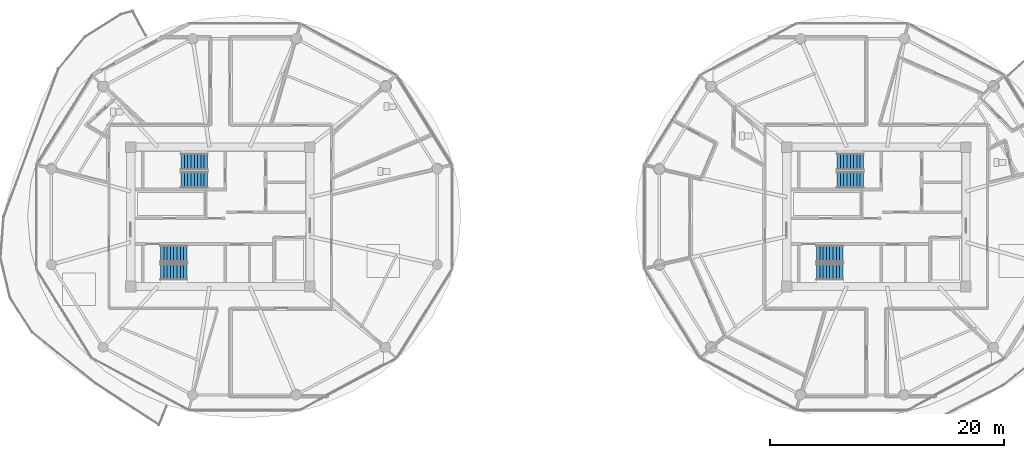
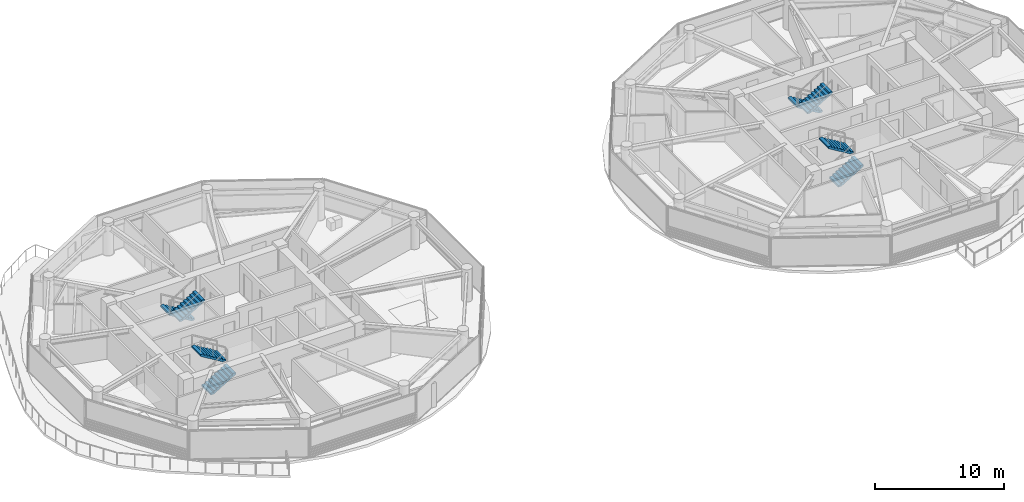
# One storey, part 18 of 25: 8 stair flights, 4 elements without a shape of their own.
"""IFC4 building model written with IfcOpenShell, lengths in metres."""

import ifcopenshell
import ifcopenshell.guid

model = None  # the IFC model being written
_history = None  # IfcOwnerHistory: only IFC2X3 demands one
_inside = {}  # id of a spatial element -> (the spatial element, [elements in it])
_under = {}  # id of a project, library or spatial element -> (it, [spatial elements below it])
_declared = {}  # id of a project -> (the project, [libraries it declares])
_typed = {}  # id of a type object -> (the type object, [elements of that type])
_made_of = {}  # id of a material, layer set ... -> (it, [elements and type objects made of it])


def new_model(schema):
    """Start an empty IFC model of exactly this schema.

    Asked for "IFC4X3", IfcOpenShell would pick the latest addendum, in which some entities
    have other attributes; the version numbers below select the first issue.
    IFC2X3 requires an IfcOwnerHistory on every rooted entity: one is made here for all.
    """
    global model, _history
    if schema == "IFC4X3":
        model = ifcopenshell.file(schema_version=(4, 3, 0, 0))
    else:
        model = ifcopenshell.file(schema=schema)
    _inside.clear()
    _under.clear()
    _declared.clear()
    _typed.clear()
    _made_of.clear()
    _history = None
    if model.schema == "IFC2X3":
        org = make("IfcOrganization", Name="unknown")
        user = make(
            "IfcPersonAndOrganization",
            ThePerson=make("IfcPerson", FamilyName="unknown"),
            TheOrganization=org,
        )
        app = make(
            "IfcApplication",
            ApplicationDeveloper=org,
            Version="unknown",
            ApplicationFullName="unknown",
            ApplicationIdentifier="unknown",
        )
        _history = make(
            "IfcOwnerHistory",
            OwningUser=user,
            OwningApplication=app,
            ChangeAction="ADDED",
            CreationDate=0,
        )
    return model


def make(cls, **values):
    """One entity of the class cls with the attributes given. An attribute that is None is left unset."""
    return model.create_entity(
        cls, **{name: value for name, value in values.items() if value is not None}
    )


def rooted(cls, **values):
    """An entity with a GlobalId (a new one), such as an element, a storey or a relation."""
    return make(cls, GlobalId=ifcopenshell.guid.new(), OwnerHistory=_history, **values)


def si_unit(unit_type, name, prefix=None):
    """IfcSIUnit, for example si_unit("LENGTHUNIT", "METRE", prefix="MILLI")."""
    return make("IfcSIUnit", UnitType=unit_type, Prefix=prefix, Name=name)


def assignment(units):
    """IfcUnitAssignment: the units of a project."""
    return None if units is None else make("IfcUnitAssignment", Units=units)


def point(xyz):
    """IfcCartesianPoint."""
    return None if xyz is None else make("IfcCartesianPoint", Coordinates=xyz)


def direction(xyz):
    """IfcDirection."""
    return None if xyz is None else make("IfcDirection", DirectionRatios=xyz)


def frame(location, z_axis=None, x_axis=None):
    """IfcAxis2Placement3D, a coordinate frame: its origin and axes. An axis left out is left unset."""
    return make(
        "IfcAxis2Placement3D",
        Location=point(location),
        Axis=direction(z_axis),
        RefDirection=direction(x_axis),
    )


def origin():
    """The frame at (0, 0, 0) with its axes left unset."""
    return frame((0.0, 0.0, 0.0))


def place(relative_to, where):
    """IfcLocalPlacement: puts the frame where relative to a parent placement (None: the world)."""
    return make(
        "IfcLocalPlacement", PlacementRelTo=relative_to, RelativePlacement=where
    )


def context(
    kind, dimensions, precision=None, world=None, true_north=None, identifier=None
):
    """IfcGeometricRepresentationContext, for example the 3D "Model" context."""
    return make(
        "IfcGeometricRepresentationContext",
        ContextIdentifier=identifier,
        ContextType=kind,
        CoordinateSpaceDimension=dimensions,
        Precision=precision,
        WorldCoordinateSystem=world,
        TrueNorth=true_north,
    )


def subcontext(parent, identifier, kind, view, scale=None):
    """IfcGeometricRepresentationSubContext, for example "Body" below "Model"."""
    return make(
        "IfcGeometricRepresentationSubContext",
        ContextIdentifier=identifier,
        ContextType=kind,
        ParentContext=parent,
        TargetScale=scale,
        TargetView=view,
    )


def project(units=None, contexts=None):
    """IfcProject with its units and contexts."""
    return rooted(
        "IfcProject",
        Name="project",
        RepresentationContexts=contexts,
        UnitsInContext=assignment(units),
    )


def spatial(cls, under=None, at=None, **own):
    """A site, building, storey or space (cls), placed at a placement, below another one or the project."""
    s = rooted(cls, ObjectPlacement=at, **own)
    if under is not None:
        _under.setdefault(under.id(), (under, []))[1].append(s)
    return s


def polyline(points):
    """IfcPolyline through the points."""
    return make("IfcPolyline", Points=[point(p) for p in points])


def outline(outer, holes=None, kind="AREA"):
    """IfcArbitraryClosedProfileDef: a profile drawn as a closed curve; with holes, ...WithVoids."""
    if holes is None:
        return make("IfcArbitraryClosedProfileDef", ProfileType=kind, OuterCurve=outer)
    return make(
        "IfcArbitraryProfileDefWithVoids",
        ProfileType=kind,
        OuterCurve=outer,
        InnerCurves=holes,
    )


def extrude(swept, where, along, depth):
    """IfcExtrudedAreaSolid: the profile swept, set in the frame where, extruded along a direction by depth."""
    return make(
        "IfcExtrudedAreaSolid",
        SweptArea=swept,
        Position=where,
        ExtrudedDirection=direction(along),
        Depth=depth,
    )


def shape(context_of_items, identifier, shape_type, items):
    """IfcShapeRepresentation: the items that make up one representation, for example the "Body"."""
    return make(
        "IfcShapeRepresentation",
        ContextOfItems=context_of_items,
        RepresentationIdentifier=identifier,
        RepresentationType=shape_type,
        Items=items,
    )


def material(Name=None, Category=None):
    """IfcMaterial."""
    return make("IfcMaterial", Name=Name, Category=Category)


def made_of(thing, what):
    """Note that an element or type object is made of a material, layer set ...; save() writes the relation."""
    if what is not None:
        _made_of.setdefault(what.id(), (what, []))[1].append(thing)
    return thing


def type_object(cls, material=None, **own):
    """A type object (cls), such as IfcWallType, which elements share."""
    return made_of(rooted(cls, **own), material)


def element(
    cls,
    number,
    at=None,
    inside=None,
    cuts=None,
    type_object=None,
    material=None,
    context=None,
    identifier="Body",
    shape_type=None,
    held_by="IfcProductDefinitionShape",
    body=None,
    shapes=None,
    **own,
):
    """One element of the class cls, such as IfcWall. Its Tag is "e" and its number.

    at: its placement. inside: the storey or other place that contains it. cuts: it is an
    opening in that element (IfcRelVoidsElement). A single representation is given by context,
    identifier, shape_type and body (its items); several are given by shapes. held_by: the class
    of the entity that holds the representations. save() writes the other relations.
    """
    e = rooted(cls, Tag="e%d" % number, ObjectPlacement=at, **own)
    if body is not None:
        shapes = [shape(context, identifier, shape_type, body)]
    if shapes is not None:
        e.Representation = make(held_by, Representations=shapes)
    if inside is not None:
        _inside.setdefault(inside.id(), (inside, []))[1].append(e)
    if cuts is not None:
        rooted(
            "IfcRelVoidsElement", RelatingBuildingElement=cuts, RelatedOpeningElement=e
        )
    if type_object is not None:
        _typed.setdefault(type_object.id(), (type_object, []))[1].append(e)
    return made_of(e, material)


def aggregate(whole, parts):
    """IfcRelAggregates: a whole, such as a stair, and the parts it consists of."""
    return rooted("IfcRelAggregates", RelatingObject=whole, RelatedObjects=parts)


def save(model, path):
    """Write the relations noted so far, then the file.

    IfcRelAggregates (storeys below a building ...), IfcRelContainedInSpatialStructure (elements
    in a storey), IfcRelDefinesByType, IfcRelAssociatesMaterial and IfcRelDeclares: one each for
    every whole, place, type object, material and project.
    """
    for whole, parts in _under.values():
        aggregate(whole, parts)
    for where, things in _inside.values():
        rooted(
            "IfcRelContainedInSpatialStructure",
            RelatedElements=things,
            RelatingStructure=where,
        )
    for kind, things in _typed.values():
        rooted("IfcRelDefinesByType", RelatedObjects=things, RelatingType=kind)
    for what, things in _made_of.values():
        rooted("IfcRelAssociatesMaterial", RelatedObjects=things, RelatingMaterial=what)
    for by, libraries in _declared.values():
        rooted("IfcRelDeclares", RelatingContext=by, RelatedDefinitions=libraries)
    model.write(path)


model = new_model("IFC4")

# Units and contexts
model_context = context("Model", 3, precision=1e-05, world=origin(), true_north=direction((0.0, 1.0)))
body_context = subcontext(model_context, "Body", "Model", "MODEL_VIEW")
ifc_project = project(units=[si_unit("LENGTHUNIT", "METRE"), si_unit("AREAUNIT", "SQUARE_METRE"), si_unit("VOLUMEUNIT", "CUBIC_METRE"), si_unit("PLANEANGLEUNIT", "RADIAN"), si_unit("MASSUNIT", "GRAM", prefix="KILO")], contexts=[model_context])

# Site, building, storey
site_placement = place(None, origin())
site = spatial("IfcSite", under=ifc_project, at=site_placement, CompositionType="ELEMENT")
building_placement = place(site_placement, origin())
building = spatial("IfcBuilding", under=site, at=building_placement, Name="Norrkilde Senior Care Towers", CompositionType="ELEMENT")
storey_placement = place(building_placement, frame((0.0, 0.0, 99.300048828125)))
storey = spatial("IfcBuildingStorey", under=building, at=storey_placement, Name="L30", CompositionType="ELEMENT", Elevation=99.300048828125)

# Stair, stair flights
ifc_material = material(Name="Concrete C45/55", Category="concrete")
stair_type = type_object("IfcStairType", Name="Core Protected Dogleg Stair Typical 3050", PredefinedType="HALF_TURN_STAIR", material=ifc_material)
stair_1_placement = place(storey_placement, origin())
stair_1 = element("IfcStair", 1, at=stair_1_placement, inside=storey, type_object=stair_type, Name="L30 Protected Core Stair W1", PredefinedType="HALF_TURN_STAIR")
stair_flight_type = type_object("IfcStairFlightType", Name="Core Protected Dogleg Stair Typical 3050 Flight", PredefinedType="STRAIGHT", material=ifc_material)
stair_flight_1_placement = place(storey_placement, frame((-29.10009765625, 4.699951171875, 0.0), z_axis=(0.0, 0.0, 1.0), x_axis=(-1.0, 0.0, 0.0)))
stair_flight_1 = element("IfcStairFlight", 2, at=stair_flight_1_placement, type_object=stair_flight_type, Name="ST-W1 flight 1", NumberOfRisers=9, NumberOfTreads=8, PredefinedType="STRAIGHT", RiserHeight=0.169444444, TreadLength=0.28, context=body_context, shape_type="SweptSolid", body=[
    extrude(outline(polyline([(0.0, 0.0), (0.0, 0.16943359375), (0.280029296875, 0.16943359375), (0.280029296875, 0.3388671875), (0.56005859375, 0.3388671875), (0.56005859375, 0.50830078125), (0.840087890625, 0.50830078125), (0.840087890625, 0.677734375), (1.1201171875, 0.677734375), (1.1201171875, 0.84716796875), (1.39990234375, 0.84716796875), (1.39990234375, 1.0166015625), (1.679931640625, 1.0166015625), (1.679931640625, 1.18603515625), (1.9599609375, 1.18603515625), (1.9599609375, 1.35546875), (2.239990234375, 1.35546875), (2.239990234375, 1.52490234375), (2.239990234375, 1.180419921875), (0.28955078125, 0.0), (0.0, 0.0)])), frame((0.0, 0.699951171875, 0.0), z_axis=(0.0, -1.0, 0.0), x_axis=(1.0, 0.0, 0.0)), (0.0, 0.0, 1.0), 1.39990234375),
])
stair_flight_2_placement = place(storey_placement, frame((-31.340087890625, 3.14990234375, 1.52490234375), z_axis=(0.0, 0.0, 1.0), x_axis=(1.0, 0.0, 0.0)))
stair_flight_2 = element("IfcStairFlight", 3, at=stair_flight_2_placement, type_object=stair_flight_type, Name="ST-W1 flight 2", NumberOfRisers=9, NumberOfTreads=8, PredefinedType="STRAIGHT", RiserHeight=0.169444444, TreadLength=0.28, context=body_context, shape_type="SweptSolid", body=[
    extrude(outline(polyline([(0.0, 0.0), (0.0, 0.16943359375), (0.280029296875, 0.16943359375), (0.280029296875, 0.3388671875), (0.56005859375, 0.3388671875), (0.56005859375, 0.50830078125), (0.840087890625, 0.50830078125), (0.840087890625, 0.677734375), (1.1201171875, 0.677734375), (1.1201171875, 0.84716796875), (1.39990234375, 0.84716796875), (1.39990234375, 1.0166015625), (1.679931640625, 1.0166015625), (1.679931640625, 1.18603515625), (1.9599609375, 1.18603515625), (1.9599609375, 1.35546875), (2.239990234375, 1.35546875), (2.239990234375, 1.52490234375), (2.239990234375, 1.180419921875), (0.28955078125, 0.0), (0.0, 0.0)])), frame((0.0, 0.699951171875, 0.0), z_axis=(0.0, -1.0, 0.0), x_axis=(1.0, 0.0, 0.0)), (0.0, 0.0, 1.0), 1.39990234375),
])
aggregate(stair_1, [stair_flight_1, stair_flight_2])

stair_2_placement = place(storey_placement, origin())
stair_2 = element("IfcStair", 4, at=stair_2_placement, inside=storey, type_object=stair_type, Name="L30 Protected Core Stair W2", PredefinedType="HALF_TURN_STAIR")
stair_flight_3_placement = place(storey_placement, frame((-33.10009765625, -4.699951171875, 0.0), z_axis=(0.0, 0.0, 1.0), x_axis=(1.0, 0.0, 0.0)))
stair_flight_3 = element("IfcStairFlight", 5, at=stair_flight_3_placement, type_object=stair_flight_type, Name="ST-W2 flight 1", NumberOfRisers=9, NumberOfTreads=8, PredefinedType="STRAIGHT", RiserHeight=0.169444444, TreadLength=0.28, context=body_context, shape_type="SweptSolid", body=[
    extrude(outline(polyline([(0.0, 0.0), (0.0, 0.16943359375), (0.280029296875, 0.16943359375), (0.280029296875, 0.3388671875), (0.56005859375, 0.3388671875), (0.56005859375, 0.50830078125), (0.840087890625, 0.50830078125), (0.840087890625, 0.677734375), (1.1201171875, 0.677734375), (1.1201171875, 0.84716796875), (1.39990234375, 0.84716796875), (1.39990234375, 1.0166015625), (1.679931640625, 1.0166015625), (1.679931640625, 1.18603515625), (1.9599609375, 1.18603515625), (1.9599609375, 1.35546875), (2.239990234375, 1.35546875), (2.239990234375, 1.52490234375), (2.239990234375, 1.180419921875), (0.28955078125, 0.0), (0.0, 0.0)])), frame((0.0, 0.699951171875, 0.0), z_axis=(0.0, -1.0, 0.0), x_axis=(1.0, 0.0, 0.0)), (0.0, 0.0, 1.0), 1.39990234375),
])
stair_flight_4_placement = place(storey_placement, frame((-30.860107421875, -3.14990234375, 1.52490234375), z_axis=(0.0, 0.0, 1.0), x_axis=(-1.0, 0.0, 0.0)))
stair_flight_4 = element("IfcStairFlight", 6, at=stair_flight_4_placement, type_object=stair_flight_type, Name="ST-W2 flight 2", NumberOfRisers=9, NumberOfTreads=8, PredefinedType="STRAIGHT", RiserHeight=0.169444444, TreadLength=0.28, context=body_context, shape_type="SweptSolid", body=[
    extrude(outline(polyline([(0.0, 0.0), (0.0, 0.16943359375), (0.280029296875, 0.16943359375), (0.280029296875, 0.3388671875), (0.56005859375, 0.3388671875), (0.56005859375, 0.50830078125), (0.840087890625, 0.50830078125), (0.840087890625, 0.677734375), (1.1201171875, 0.677734375), (1.1201171875, 0.84716796875), (1.39990234375, 0.84716796875), (1.39990234375, 1.0166015625), (1.679931640625, 1.0166015625), (1.679931640625, 1.18603515625), (1.9599609375, 1.18603515625), (1.9599609375, 1.35546875), (2.239990234375, 1.35546875), (2.239990234375, 1.52490234375), (2.239990234375, 1.180419921875), (0.28955078125, 0.0), (0.0, 0.0)])), frame((0.0, 0.699951171875, 0.0), z_axis=(0.0, -1.0, 0.0), x_axis=(1.0, 0.0, 0.0)), (0.0, 0.0, 1.0), 1.39990234375),
])
aggregate(stair_2, [stair_flight_3, stair_flight_4])

stair_3_placement = place(storey_placement, origin())
stair_3 = element("IfcStair", 7, at=stair_3_placement, inside=storey, type_object=stair_type, Name="L30 Protected Core Stair E1", PredefinedType="HALF_TURN_STAIR")
stair_flight_5_placement = place(storey_placement, frame((26.89990234375, 4.699951171875, 0.0), z_axis=(0.0, 0.0, 1.0), x_axis=(-1.0, 0.0, 0.0)))
stair_flight_5 = element("IfcStairFlight", 8, at=stair_flight_5_placement, type_object=stair_flight_type, Name="ST-E1 flight 1", NumberOfRisers=9, NumberOfTreads=8, PredefinedType="STRAIGHT", RiserHeight=0.169444444, TreadLength=0.28, context=body_context, shape_type="SweptSolid", body=[
    extrude(outline(polyline([(0.0, 0.0), (0.0, 0.16943359375), (0.280029296875, 0.16943359375), (0.280029296875, 0.3388671875), (0.56005859375, 0.3388671875), (0.56005859375, 0.50830078125), (0.840087890625, 0.50830078125), (0.840087890625, 0.677734375), (1.1201171875, 0.677734375), (1.1201171875, 0.84716796875), (1.39990234375, 0.84716796875), (1.39990234375, 1.0166015625), (1.679931640625, 1.0166015625), (1.679931640625, 1.18603515625), (1.9599609375, 1.18603515625), (1.9599609375, 1.35546875), (2.239990234375, 1.35546875), (2.239990234375, 1.52490234375), (2.239990234375, 1.180419921875), (0.28955078125, 0.0), (0.0, 0.0)])), frame((0.0, 0.699951171875, 0.0), z_axis=(0.0, -1.0, 0.0), x_axis=(1.0, 0.0, 0.0)), (0.0, 0.0, 1.0), 1.39990234375),
])
stair_flight_6_placement = place(storey_placement, frame((24.659912109375, 3.14990234375, 1.52490234375), z_axis=(0.0, 0.0, 1.0), x_axis=(1.0, 0.0, 0.0)))
stair_flight_6 = element("IfcStairFlight", 9, at=stair_flight_6_placement, type_object=stair_flight_type, Name="ST-E1 flight 2", NumberOfRisers=9, NumberOfTreads=8, PredefinedType="STRAIGHT", RiserHeight=0.169444444, TreadLength=0.28, context=body_context, shape_type="SweptSolid", body=[
    extrude(outline(polyline([(0.0, 0.0), (0.0, 0.16943359375), (0.280029296875, 0.16943359375), (0.280029296875, 0.3388671875), (0.56005859375, 0.3388671875), (0.56005859375, 0.50830078125), (0.840087890625, 0.50830078125), (0.840087890625, 0.677734375), (1.1201171875, 0.677734375), (1.1201171875, 0.84716796875), (1.39990234375, 0.84716796875), (1.39990234375, 1.0166015625), (1.679931640625, 1.0166015625), (1.679931640625, 1.18603515625), (1.9599609375, 1.18603515625), (1.9599609375, 1.35546875), (2.239990234375, 1.35546875), (2.239990234375, 1.52490234375), (2.239990234375, 1.180419921875), (0.28955078125, 0.0), (0.0, 0.0)])), frame((0.0, 0.699951171875, 0.0), z_axis=(0.0, -1.0, 0.0), x_axis=(1.0, 0.0, 0.0)), (0.0, 0.0, 1.0), 1.39990234375),
])
aggregate(stair_3, [stair_flight_5, stair_flight_6])

stair_4_placement = place(storey_placement, origin())
stair_4 = element("IfcStair", 10, at=stair_4_placement, inside=storey, type_object=stair_type, Name="L30 Protected Core Stair E2", PredefinedType="HALF_TURN_STAIR")
stair_flight_7_placement = place(storey_placement, frame((22.89990234375, -4.699951171875, 0.0), z_axis=(0.0, 0.0, 1.0), x_axis=(1.0, 0.0, 0.0)))
stair_flight_7 = element("IfcStairFlight", 11, at=stair_flight_7_placement, type_object=stair_flight_type, Name="ST-E2 flight 1", NumberOfRisers=9, NumberOfTreads=8, PredefinedType="STRAIGHT", RiserHeight=0.169444444, TreadLength=0.28, context=body_context, shape_type="SweptSolid", body=[
    extrude(outline(polyline([(0.0, 0.0), (0.0, 0.16943359375), (0.280029296875, 0.16943359375), (0.280029296875, 0.3388671875), (0.56005859375, 0.3388671875), (0.56005859375, 0.50830078125), (0.840087890625, 0.50830078125), (0.840087890625, 0.677734375), (1.1201171875, 0.677734375), (1.1201171875, 0.84716796875), (1.39990234375, 0.84716796875), (1.39990234375, 1.0166015625), (1.679931640625, 1.0166015625), (1.679931640625, 1.18603515625), (1.9599609375, 1.18603515625), (1.9599609375, 1.35546875), (2.239990234375, 1.35546875), (2.239990234375, 1.52490234375), (2.239990234375, 1.180419921875), (0.28955078125, 0.0), (0.0, 0.0)])), frame((0.0, 0.699951171875, 0.0), z_axis=(0.0, -1.0, 0.0), x_axis=(1.0, 0.0, 0.0)), (0.0, 0.0, 1.0), 1.39990234375),
])
stair_flight_8_placement = place(storey_placement, frame((25.139892578125, -3.14990234375, 1.52490234375), z_axis=(0.0, 0.0, 1.0), x_axis=(-1.0, 0.0, 0.0)))
stair_flight_8 = element("IfcStairFlight", 12, at=stair_flight_8_placement, type_object=stair_flight_type, Name="ST-E2 flight 2", NumberOfRisers=9, NumberOfTreads=8, PredefinedType="STRAIGHT", RiserHeight=0.169444444, TreadLength=0.28, context=body_context, shape_type="SweptSolid", body=[
    extrude(outline(polyline([(0.0, 0.0), (0.0, 0.16943359375), (0.280029296875, 0.16943359375), (0.280029296875, 0.3388671875), (0.56005859375, 0.3388671875), (0.56005859375, 0.50830078125), (0.840087890625, 0.50830078125), (0.840087890625, 0.677734375), (1.1201171875, 0.677734375), (1.1201171875, 0.84716796875), (1.39990234375, 0.84716796875), (1.39990234375, 1.0166015625), (1.679931640625, 1.0166015625), (1.679931640625, 1.18603515625), (1.9599609375, 1.18603515625), (1.9599609375, 1.35546875), (2.239990234375, 1.35546875), (2.239990234375, 1.52490234375), (2.239990234375, 1.180419921875), (0.28955078125, 0.0), (0.0, 0.0)])), frame((0.0, 0.699951171875, 0.0), z_axis=(0.0, -1.0, 0.0), x_axis=(1.0, 0.0, 0.0)), (0.0, 0.0, 1.0), 1.39990234375),
])
aggregate(stair_4, [stair_flight_7, stair_flight_8])

save(model, "model.ifc")
